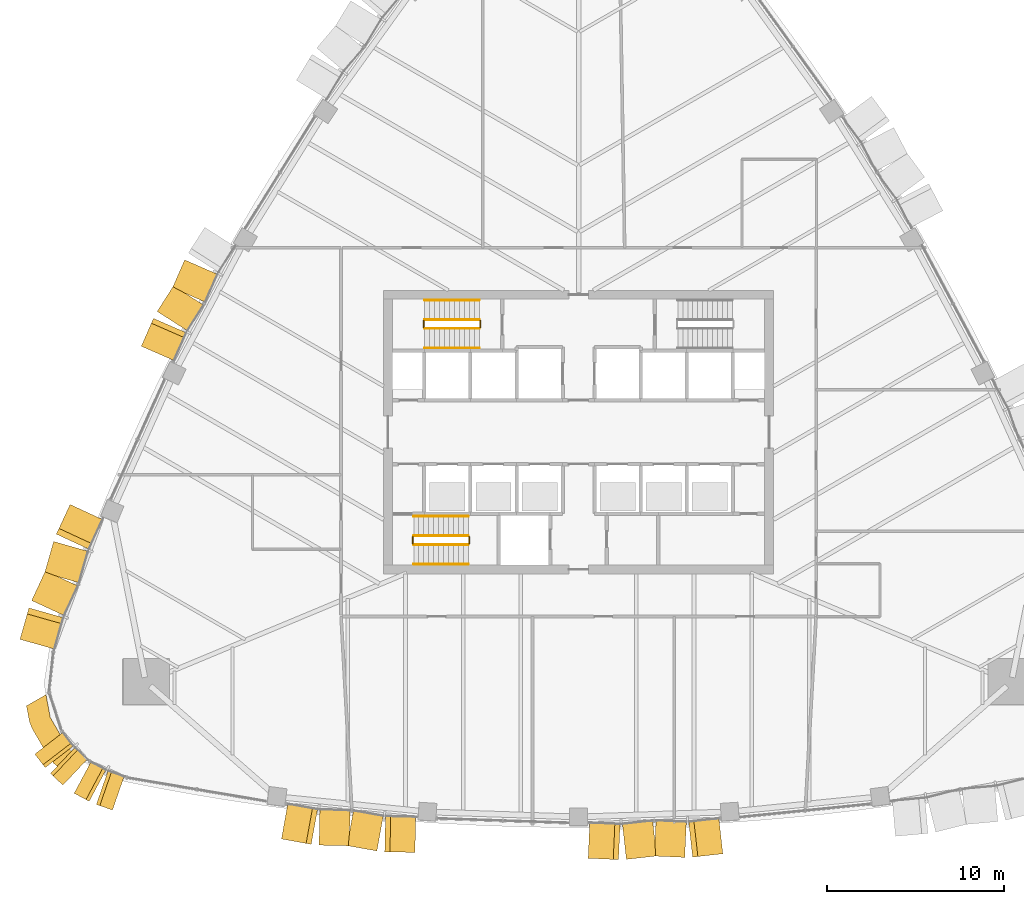
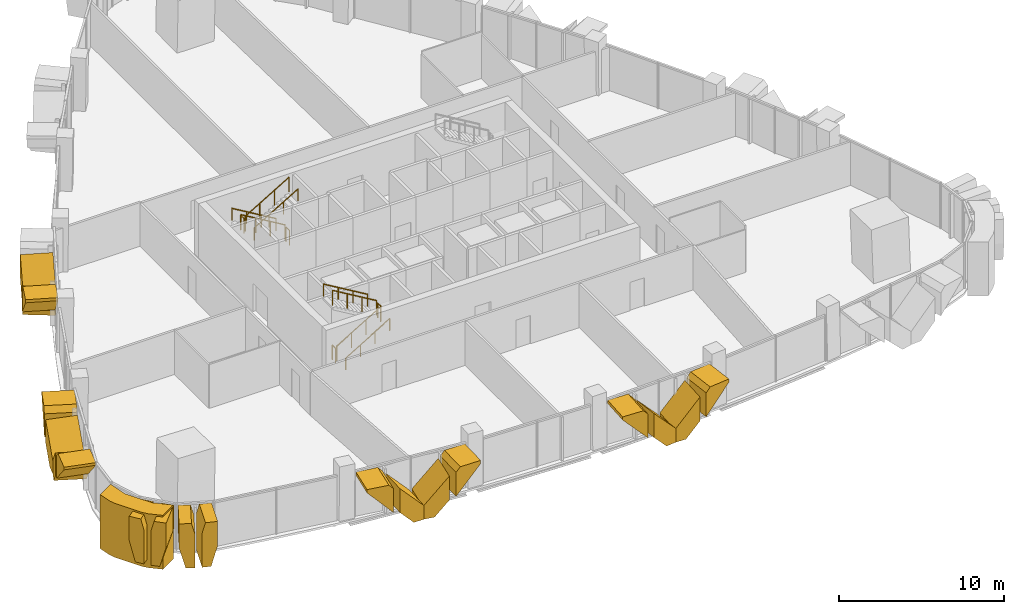
# One storey, part 14 of 17: 20 coverings, 12 railings.
"""IFC4 building model written with IfcOpenShell, lengths in metres."""

import ifcopenshell
import ifcopenshell.guid

model = None  # the IFC model being written
_history = None  # IfcOwnerHistory: only IFC2X3 demands one
_inside = {}  # id of a spatial element -> (the spatial element, [elements in it])
_under = {}  # id of a project, library or spatial element -> (it, [spatial elements below it])
_declared = {}  # id of a project -> (the project, [libraries it declares])
_typed = {}  # id of a type object -> (the type object, [elements of that type])
_made_of = {}  # id of a material, layer set ... -> (it, [elements and type objects made of it])


def new_model(schema):
    """Start an empty IFC model of exactly this schema.

    Asked for "IFC4X3", IfcOpenShell would pick the latest addendum, in which some entities
    have other attributes; the version numbers below select the first issue.
    IFC2X3 requires an IfcOwnerHistory on every rooted entity: one is made here for all.
    """
    global model, _history
    if schema == "IFC4X3":
        model = ifcopenshell.file(schema_version=(4, 3, 0, 0))
    else:
        model = ifcopenshell.file(schema=schema)
    _inside.clear()
    _under.clear()
    _declared.clear()
    _typed.clear()
    _made_of.clear()
    _history = None
    if model.schema == "IFC2X3":
        org = make("IfcOrganization", Name="unknown")
        user = make(
            "IfcPersonAndOrganization",
            ThePerson=make("IfcPerson", FamilyName="unknown"),
            TheOrganization=org,
        )
        app = make(
            "IfcApplication",
            ApplicationDeveloper=org,
            Version="unknown",
            ApplicationFullName="unknown",
            ApplicationIdentifier="unknown",
        )
        _history = make(
            "IfcOwnerHistory",
            OwningUser=user,
            OwningApplication=app,
            ChangeAction="ADDED",
            CreationDate=0,
        )
    return model


def make(cls, **values):
    """One entity of the class cls with the attributes given. An attribute that is None is left unset."""
    return model.create_entity(
        cls, **{name: value for name, value in values.items() if value is not None}
    )


def rooted(cls, **values):
    """An entity with a GlobalId (a new one), such as an element, a storey or a relation."""
    return make(cls, GlobalId=ifcopenshell.guid.new(), OwnerHistory=_history, **values)


def si_unit(unit_type, name, prefix=None):
    """IfcSIUnit, for example si_unit("LENGTHUNIT", "METRE", prefix="MILLI")."""
    return make("IfcSIUnit", UnitType=unit_type, Prefix=prefix, Name=name)


def assignment(units):
    """IfcUnitAssignment: the units of a project."""
    return None if units is None else make("IfcUnitAssignment", Units=units)


def point(xyz):
    """IfcCartesianPoint."""
    return None if xyz is None else make("IfcCartesianPoint", Coordinates=xyz)


def direction(xyz):
    """IfcDirection."""
    return None if xyz is None else make("IfcDirection", DirectionRatios=xyz)


def frame(location, z_axis=None, x_axis=None):
    """IfcAxis2Placement3D, a coordinate frame: its origin and axes. An axis left out is left unset."""
    return make(
        "IfcAxis2Placement3D",
        Location=point(location),
        Axis=direction(z_axis),
        RefDirection=direction(x_axis),
    )


def frame_2d(location, x_axis=None):
    """IfcAxis2Placement2D, a coordinate frame in the plane: its origin and x axis."""
    return make(
        "IfcAxis2Placement2D", Location=point(location), RefDirection=direction(x_axis)
    )


def origin():
    """The frame at (0, 0, 0) with its axes left unset."""
    return frame((0.0, 0.0, 0.0))


def origin_2d():
    """The frame at (0, 0) in the plane with its x axis left unset."""
    return frame_2d((0.0, 0.0))


def place(relative_to, where):
    """IfcLocalPlacement: puts the frame where relative to a parent placement (None: the world)."""
    return make(
        "IfcLocalPlacement", PlacementRelTo=relative_to, RelativePlacement=where
    )


def context(
    kind, dimensions, precision=None, world=None, true_north=None, identifier=None
):
    """IfcGeometricRepresentationContext, for example the 3D "Model" context."""
    return make(
        "IfcGeometricRepresentationContext",
        ContextIdentifier=identifier,
        ContextType=kind,
        CoordinateSpaceDimension=dimensions,
        Precision=precision,
        WorldCoordinateSystem=world,
        TrueNorth=true_north,
    )


def subcontext(parent, identifier, kind, view, scale=None):
    """IfcGeometricRepresentationSubContext, for example "Body" below "Model"."""
    return make(
        "IfcGeometricRepresentationSubContext",
        ContextIdentifier=identifier,
        ContextType=kind,
        ParentContext=parent,
        TargetScale=scale,
        TargetView=view,
    )


def project(units=None, contexts=None):
    """IfcProject with its units and contexts."""
    return rooted(
        "IfcProject",
        Name="project",
        RepresentationContexts=contexts,
        UnitsInContext=assignment(units),
    )


def spatial(cls, under=None, at=None, **own):
    """A site, building, storey or space (cls), placed at a placement, below another one or the project."""
    s = rooted(cls, ObjectPlacement=at, **own)
    if under is not None:
        _under.setdefault(under.id(), (under, []))[1].append(s)
    return s


def polyline(points):
    """IfcPolyline through the points."""
    return make("IfcPolyline", Points=[point(p) for p in points])


def profile(cls, at=None, kind="AREA", **sizes):
    """A parametric profile (cls). Its sizes go by their IFC names, for example OverallWidth=200.0."""
    return make(cls, ProfileType=kind, Position=at, **sizes)


def circle(**sizes):
    """IfcCircleProfileDef."""
    return profile("IfcCircleProfileDef", **sizes)


def outline(outer, holes=None, kind="AREA"):
    """IfcArbitraryClosedProfileDef: a profile drawn as a closed curve; with holes, ...WithVoids."""
    if holes is None:
        return make("IfcArbitraryClosedProfileDef", ProfileType=kind, OuterCurve=outer)
    return make(
        "IfcArbitraryProfileDefWithVoids",
        ProfileType=kind,
        OuterCurve=outer,
        InnerCurves=holes,
    )


def extrude(swept, where, along, depth):
    """IfcExtrudedAreaSolid: the profile swept, set in the frame where, extruded along a direction by depth."""
    return make(
        "IfcExtrudedAreaSolid",
        SweptArea=swept,
        Position=where,
        ExtrudedDirection=direction(along),
        Depth=depth,
    )


def shape(context_of_items, identifier, shape_type, items):
    """IfcShapeRepresentation: the items that make up one representation, for example the "Body"."""
    return make(
        "IfcShapeRepresentation",
        ContextOfItems=context_of_items,
        RepresentationIdentifier=identifier,
        RepresentationType=shape_type,
        Items=items,
    )


def material(Name=None, Category=None):
    """IfcMaterial."""
    return make("IfcMaterial", Name=Name, Category=Category)


def layer(
    of_material, thickness, ventilated=None, Name=None, Category=None, Priority=None
):
    """IfcMaterialLayer: one layer of a wall or slab, of a material (None: an air gap)."""
    return make(
        "IfcMaterialLayer",
        Material=of_material,
        LayerThickness=thickness,
        IsVentilated=ventilated,
        Name=Name,
        Category=Category,
        Priority=Priority,
    )


def layer_set(layers, Name=None):
    """IfcMaterialLayerSet."""
    return make("IfcMaterialLayerSet", MaterialLayers=layers, LayerSetName=Name)


def made_of(thing, what):
    """Note that an element or type object is made of a material, layer set ...; save() writes the relation."""
    if what is not None:
        _made_of.setdefault(what.id(), (what, []))[1].append(thing)
    return thing


def type_object(cls, material=None, **own):
    """A type object (cls), such as IfcWallType, which elements share."""
    return made_of(rooted(cls, **own), material)


def element(
    cls,
    number,
    at=None,
    inside=None,
    cuts=None,
    type_object=None,
    material=None,
    context=None,
    identifier="Body",
    shape_type=None,
    held_by="IfcProductDefinitionShape",
    body=None,
    shapes=None,
    **own,
):
    """One element of the class cls, such as IfcWall. Its Tag is "e" and its number.

    at: its placement. inside: the storey or other place that contains it. cuts: it is an
    opening in that element (IfcRelVoidsElement). A single representation is given by context,
    identifier, shape_type and body (its items); several are given by shapes. held_by: the class
    of the entity that holds the representations. save() writes the other relations.
    """
    e = rooted(cls, Tag="e%d" % number, ObjectPlacement=at, **own)
    if body is not None:
        shapes = [shape(context, identifier, shape_type, body)]
    if shapes is not None:
        e.Representation = make(held_by, Representations=shapes)
    if inside is not None:
        _inside.setdefault(inside.id(), (inside, []))[1].append(e)
    if cuts is not None:
        rooted(
            "IfcRelVoidsElement", RelatingBuildingElement=cuts, RelatedOpeningElement=e
        )
    if type_object is not None:
        _typed.setdefault(type_object.id(), (type_object, []))[1].append(e)
    return made_of(e, material)


def aggregate(whole, parts):
    """IfcRelAggregates: a whole, such as a stair, and the parts it consists of."""
    return rooted("IfcRelAggregates", RelatingObject=whole, RelatedObjects=parts)


def save(model, path):
    """Write the relations noted so far, then the file.

    IfcRelAggregates (storeys below a building ...), IfcRelContainedInSpatialStructure (elements
    in a storey), IfcRelDefinesByType, IfcRelAssociatesMaterial and IfcRelDeclares: one each for
    every whole, place, type object, material and project.
    """
    for whole, parts in _under.values():
        aggregate(whole, parts)
    for where, things in _inside.values():
        rooted(
            "IfcRelContainedInSpatialStructure",
            RelatedElements=things,
            RelatingStructure=where,
        )
    for kind, things in _typed.values():
        rooted("IfcRelDefinesByType", RelatedObjects=things, RelatingType=kind)
    for what, things in _made_of.values():
        rooted("IfcRelAssociatesMaterial", RelatedObjects=things, RelatingMaterial=what)
    for by, libraries in _declared.values():
        rooted("IfcRelDeclares", RelatingContext=by, RelatedDefinitions=libraries)
    model.write(path)


model = new_model("IFC4")

# Units and contexts
model_context = context("Model", 3, precision=1e-05, world=origin(), true_north=direction((0.0, 1.0)))
body_context = subcontext(model_context, "Body", "Model", "MODEL_VIEW")
ifc_project = project(units=[si_unit("LENGTHUNIT", "METRE"), si_unit("AREAUNIT", "SQUARE_METRE"), si_unit("VOLUMEUNIT", "CUBIC_METRE"), si_unit("PLANEANGLEUNIT", "RADIAN"), si_unit("MASSUNIT", "GRAM", prefix="KILO")], contexts=[model_context])

# Site, building, storey
site_placement = place(None, origin())
site = spatial("IfcSite", under=ifc_project, at=site_placement, CompositionType="ELEMENT")
building_placement = place(site_placement, origin())
building = spatial("IfcBuilding", under=site, at=building_placement, Name="Sierra Prisma Convention Tower", CompositionType="ELEMENT")
storey_placement = place(building_placement, frame((0.0, 0.0, 149.800048828125)))
storey = spatial("IfcBuildingStorey", under=building, at=storey_placement, Name="L32", CompositionType="ELEMENT", Elevation=149.800048828125)

# Coverings
ifc_material_1 = material(Name="Aluminium composite bronze anodised", Category="aluminium")
ifc_layer_1 = layer(ifc_material_1, 1.199951171875)
ifc_layer_set_1 = layer_set([ifc_layer_1], Name="Bronze corner pier")
covering_type_1 = type_object("IfcCoveringType", Name="Bronze corner pier", PredefinedType="CLADDING", material=ifc_layer_set_1)
covering_1_placement = place(storey_placement, frame((0.0, 0.0, -0.60009765625)))
element("IfcCovering", 1, at=covering_1_placement, inside=storey, type_object=covering_type_1, Name="Corner pier SW L32.1", PredefinedType="CLADDING", context=body_context, shape_type="SweptSolid", body=[
    extrude(outline(polyline([(-29.62109375, -18.677978515625), (-29.879150390625, -18.366943359375), (-30.845947265625, -16.692626953125), (-30.986083984375, -16.313720703125), (-31.149169921875, -15.443603515625), (-30.047607421875, -14.8076171875), (-29.806640625, -16.0927734375), (-28.840087890625, -17.76708984375), (-27.84765625, -18.6181640625), (-28.94921875, -19.254150390625), (-29.62109375, -18.677978515625)])), origin(), (0.0, 0.0, 1.0), 4.0),
])
ifc_material_2 = material(Name="Aluminium 6063-T6 bronze anodised", Category="aluminium")
ifc_layer_2 = layer(ifc_material_2, 2.0)
ifc_layer_set_2 = layer_set([ifc_layer_2], Name="Bronze crystal chevron frame")
covering_type_2 = type_object("IfcCoveringType", Name="Bronze crystal chevron frame", PredefinedType="CLADDING", material=ifc_layer_set_2)
covering_2_placement = place(storey_placement, frame((-16.763916015625, -22.952880859375, 3.280029296875), z_axis=(-0.178404639112, -0.983957206653, 1.4800679e-05), x_axis=(-2.64051e-06, -1.4563235e-05, -0.99999999989)))
element("IfcCovering", 2, at=covering_2_placement, inside=storey, type_object=covering_type_2, Name="CW-2 chevron frame S2.1.1", PredefinedType="CLADDING", context=body_context, shape_type="SweptSolid", body=[
    extrude(outline(polyline([(0.0, 0.0), (0.2336425780994091, 9.895148077665594e-23), (2.0971679685906253, 1.707818955998572), (0.32104492191016404, 1.707818955998572), (-4.402594558439716e-10, 1.4137891006702699), (0.0, 0.0)])), origin(), (0.0, 0.0, -1.0), 2.0),
])
covering_3_placement = place(storey_placement, frame((-14.642333984375, -23.302001953125, 2.817138671875), z_axis=(-0.022308776569, -0.999751128222, -1.034206e-05), x_axis=(2.30719e-07, 1.0339487e-05, -0.999999999947)))
element("IfcCovering", 3, at=covering_3_placement, inside=storey, type_object=covering_type_2, Name="CW-2 chevron frame S2.1.2", PredefinedType="CLADDING", context=body_context, shape_type="SweptSolid", body=[
    extrude(outline(polyline([(0.0, 0.0), (1.7761230467800144, 0.0), (2.817138672127655, 0.953849797511067), (2.817138671835687, 1.7077001487243268), (1.8635253906366855, 1.7077001487243268), (0.0, 0.0)])), origin(), (0.0, 0.0, -1.0), 2.0),
])
covering_4_placement = place(storey_placement, frame((-12.31689453125, -23.4619140625, 0.0), z_axis=(-0.178251007316, -0.983985049426, -2.9942138e-05), x_axis=(0.664806247486, -0.12045351493, 0.737240533371)))
element("IfcCovering", 4, at=covering_4_placement, inside=storey, type_object=covering_type_2, Name="CW-2 chevron frame S2.2.1", PredefinedType="CLADDING", context=body_context, shape_type="SweptSolid", body=[
    extrude(outline(polyline([(0.0, 0.0), (1.4120433974077613, -1.1102230246251565e-16), (2.7214732998176547, 1.2000026689500065), (0.19378191168734082, 1.1999895808672243), (-0.5092604524106721, 0.5556994880948908), (0.0, 0.0)])), origin(), (0.0, 0.0, -1.0), 2.0),
])
covering_5_placement = place(storey_placement, frame((-9.229736328125, -23.714599609375, 3.280029296875), z_axis=(-0.022153262935, -0.999754585792, -3.3606918e-05), x_axis=(-0.999754586356, 0.022153262947, 1.606e-09)))
element("IfcCovering", 5, at=covering_5_placement, inside=storey, type_object=covering_type_2, Name="CW-2 chevron frame S2.2.2", PredefinedType="CLADDING", context=body_context, shape_type="SweptSolid", body=[
    extrude(outline(polyline([(0.0, 0.0), (1.413675517108114, 2.117582368135751e-22), (1.7076947207119522, 0.32104492479827174), (1.707694717860106, 2.0971679706702733), (-3.7515006987492796e-10, 0.23364257799305915), (0.0, 0.0)])), origin(), (0.0, 0.0, -1.0), 2.0),
])
covering_6_placement = place(storey_placement, frame((0.539794921875, -24.04296875, 3.280029296875), z_axis=(-0.044958665686, -0.998988847788, 1.9384242e-05), x_axis=(-8.7149e-07, -1.9364641e-05, -0.999999999812)))
element("IfcCovering", 6, at=covering_6_placement, inside=storey, type_object=covering_type_2, Name="CW-2 chevron frame S4.1.1", PredefinedType="CLADDING", context=body_context, shape_type="SweptSolid", body=[
    extrude(outline(polyline([(0.0, 0.0), (0.23120117183156322, 2.4479376252741163e-23), (2.0954589841028666, 1.7158465917953805), (0.32348632818577483, 1.7158465917953805), (-7.526902107589172e-10, 1.4181802970084945), (0.0, 0.0)])), origin(), (0.0, 0.0, -1.0), 2.0),
])
covering_7_placement = place(storey_placement, frame((2.697021484375, -24.105224609375, 2.8154296875), z_axis=(0.11200000578, -0.993708205315, 3.7361437e-05), x_axis=(4.184481e-06, -3.7126367e-05, -0.999999999302)))
element("IfcCovering", 7, at=covering_7_placement, inside=storey, type_object=covering_type_2, Name="CW-2 chevron frame S4.1.2", PredefinedType="CLADDING", context=body_context, shape_type="SweptSolid", body=[
    extrude(outline(polyline([(0.0, 0.0), (1.7719726550132722, -1.5009192214774687e-21), (2.815429690792716, 0.9603724071931462), (2.815429686991541, 1.7158696570729286), (1.8642578126554004, 1.7158696570729286), (0.0, 0.0)])), origin(), (0.0, 0.0, -1.0), 2.0),
])
covering_8_placement = place(storey_placement, frame((4.27783203125, -23.917236328125, 0.0), z_axis=(-0.04500332305, -0.998986834927, 6.7499134e-05), x_axis=(0.998986837203, -0.045003323154, -1.6424e-08)))
element("IfcCovering", 8, at=covering_8_placement, inside=storey, type_object=covering_type_2, Name="CW-2 chevron frame S4.2.1", PredefinedType="CLADDING", context=body_context, shape_type="SweptSolid", body=[
    extrude(outline(polyline([(0.0, 0.0), (0.7554122995694359, 0.0), (1.7158465732233743, 1.0434570618083956), (1.7158465441202202, 2.815429714021724), (-1.562219460607917e-08, 0.9511718728331672), (0.0, 0.0)])), origin(), (0.0, 0.0, -1.0), 2.0),
])
covering_9_placement = place(storey_placement, frame((8.14013671875, -23.78759765625, 3.280029296875), z_axis=(0.111844973796, -0.993725666364, -4.2960925e-05), x_axis=(-0.993725667281, -0.111844973899, 2.607e-09)))
element("IfcCovering", 9, at=covering_9_placement, inside=storey, type_object=covering_type_2, Name="CW-2 chevron frame S4.2.2", PredefinedType="CLADDING", context=body_context, shape_type="SweptSolid", body=[
    extrude(outline(polyline([(0.0, 0.0), (1.418086861470124, 0.0), (1.7158423355279044, 0.3234863328969476), (1.7158423309081374, 2.0954589875117353), (-6.027720151361181e-10, 0.23120117166164283), (0.0, 0.0)])), origin(), (0.0, 0.0, -1.0), 2.0),
])
covering_10_placement = place(storey_placement, frame((-22.22412109375, 9.717041015625, 2.8154296875), z_axis=(-0.916550827823, 0.399918215094, 3.5384973e-05), x_axis=(-3.2432126e-05, 1.4151095e-05, -0.999999999374)))
element("IfcCovering", 10, at=covering_10_placement, inside=storey, type_object=covering_type_2, Name="CW-2 chevron frame NW4.1.2", PredefinedType="CLADDING", context=body_context, shape_type="SweptSolid", body=[
    extrude(outline(polyline([(0.0, 0.0), (1.7719726551406598, -3.0018384429549374e-21), (2.8154296904535534, 0.9605843647833733), (2.815429687043914, 1.715964487272564), (1.8642578126393936, 1.715964487272564), (0.0, 0.0)])), origin(), (0.0, 0.0, -1.0), 2.0),
])
covering_11_placement = place(storey_placement, frame((-22.85205078125, 8.25390625, 0.0), z_axis=(-0.842659818249, 0.538446311666, 1.2705997e-05), x_axis=(-0.538446311709, -0.842659818317, -5.82e-10)))
element("IfcCovering", 11, at=covering_11_placement, inside=storey, type_object=covering_type_2, Name="CW-2 chevron frame NW4.2.1", PredefinedType="CLADDING", context=body_context, shape_type="SweptSolid", body=[
    extrude(outline(polyline([(0.0, 0.0), (0.7553383060695945, 8.470329472543003e-22), (1.7157500696034695, 1.04345703233285), (1.7157500685721252, 2.8154296884398144), (-5.536122301887352e-10, 0.9511718749232203), (0.0, 0.0)])), origin(), (0.0, 0.0, -1.0), 2.0),
])
covering_12_placement = place(storey_placement, frame((-24.670654296875, 4.84423828125, 3.280029296875), z_axis=(-0.916523292244, 0.399981314804, -5.081196e-05), x_axis=(0.39998131532, 0.916523293427, 3.647e-09)))
element("IfcCovering", 12, at=covering_12_placement, inside=storey, type_object=covering_type_2, Name="CW-2 chevron frame NW4.2.2", PredefinedType="CLADDING", context=body_context, shape_type="SweptSolid", body=[
    extrude(outline(polyline([(0.0, 0.0), (1.418146144945184, 3.3881317890172014e-21), (1.715740723998476, 0.32348633479981426), (1.7157407175361843, 2.0954589887623256), (-8.431786003080199e-10, 0.231201171576536), (0.0, 0.0)])), origin(), (0.0, 0.0, -1.0), 2.0),
])
covering_13_placement = place(storey_placement, frame((-28.687744140625, -4.0810546875, 3.280029296875), z_axis=(-0.907199404753, 0.42070089124, 1.1224924e-05), x_axis=(-1.0183245e-05, 4.722336e-06, -0.999999999937)))
element("IfcCovering", 13, at=covering_13_placement, inside=storey, type_object=covering_type_2, Name="CW-2 chevron frame NW6.1.1", PredefinedType="CLADDING", context=body_context, shape_type="SweptSolid", body=[
    extrude(outline(polyline([(0.0, 0.0), (0.19628906248763392, 0.0), (2.0693359374148526, 1.8442443734393787), (0.3588867187726097, 1.8442443734393787), (-2.4024697104121754e-10, 1.4908850811305907), (0.0, 0.0)])), origin(), (0.0, 0.0, -1.0), 2.0),
])
covering_14_placement = place(storey_placement, frame((-29.617919921875, -6.169921875, 2.7890625), z_axis=(-0.961843741049, 0.273599372307, 3.5748714e-05), x_axis=(-3.4384677e-05, 9.780826e-06, -0.999999999361)))
element("IfcCovering", 14, at=covering_14_placement, inside=storey, type_object=covering_type_2, Name="CW-2 chevron frame NW6.1.2", PredefinedType="CLADDING", context=body_context, shape_type="SweptSolid", body=[
    extrude(outline(polyline([(0.0, 0.0), (1.7102050770322044, 0.0), (2.7890625029528113, 1.0622980740938173), (2.7890624995965787, 1.8443082348261948), (1.8730468751818987, 1.8443082348261948), (0.0, 0.0)])), origin(), (0.0, 0.0, -1.0), 2.0),
])
covering_15_placement = place(storey_placement, frame((-30.079345703125, -7.827392578125, 0.0), z_axis=(-0.90720951662, 0.420679083085, -4.4826304e-05), x_axis=(-0.420679083507, -0.907209517531, -6.748e-09)))
element("IfcCovering", 15, at=covering_15_placement, inside=storey, type_object=covering_type_2, Name="CW-2 chevron frame NW6.2.1", PredefinedType="CLADDING", context=body_context, shape_type="SweptSolid", body=[
    extrude(outline(polyline([(0.0, 0.0), (0.7819837850171938, 0.0), (1.8442443655291594, 1.078857435404583), (1.8442443539880506, 2.789062511811342), (-6.1816189026233194e-09, 0.9160156240796802), (0.0, 0.0)])), origin(), (0.0, 0.0, -1.0), 2.0),
])
covering_16_placement = place(storey_placement, frame((-31.51416015625, -11.690185546875, 3.280029296875), z_axis=(-0.961838076399, 0.273619288041, -1.059192e-06), x_axis=(0.273619288041, 0.9618380764, 1e-12)))
element("IfcCovering", 16, at=covering_16_placement, inside=storey, type_object=covering_type_2, Name="CW-2 chevron frame NW6.2.2", PredefinedType="CLADDING", context=body_context, shape_type="SweptSolid", body=[
    extrude(outline(polyline([(0.0, 0.0), (1.490980149191239, 5.293955920339377e-23), (1.8443082352289009, 0.35888671875284744), (1.8443082352264468, 2.069335937501888), (-2.8162075497239935e-13, 0.1962890624998899), (0.0, 0.0)])), origin(), (0.0, 0.0, -1.0), 2.0),
])
covering_17_placement = place(storey_placement, frame((-30.678466796875, -18.166015625, 3.280029296875), z_axis=(-0.792175241891, -0.610293687631, 3.1193237e-05), x_axis=(-2.471051e-05, -1.9037035e-05, -0.999999999513)))
element("IfcCovering", 17, at=covering_17_placement, inside=storey, type_object=covering_type_2, Name="CW-2 chevron frame SW3.1.1", PredefinedType="CLADDING", context=body_context, shape_type="SweptSolid", body=[
    extrude(outline(polyline([(0.0, 0.0), (1.7910156241286548, 3.0340984868445055e-21), (3.280029295264235, 0.4040376873611531), (3.2800292959706283, 0.9609198837451223), (0.7507324222011538, 0.9609198837451223), (-5.379889579428326e-09, 0.7570479361029963), (0.0, 0.0)])), origin(), (0.0, 0.0, -1.0), 2.0),
])
covering_18_placement = place(storey_placement, frame((-29.794677734375, -19.256103515625, 0.0), z_axis=(-0.686894157958, -0.726757466698, 1.9042848e-05), x_axis=(0.72675746683, -0.686894158082, 6.8e-10)))
element("IfcCovering", 18, at=covering_18_placement, inside=storey, type_object=covering_type_2, Name="CW-2 chevron frame SW3.1.2", PredefinedType="CLADDING", context=body_context, shape_type="SweptSolid", body=[
    extrude(outline(polyline([(0.0, 0.0), (0.556619476097006, 0.0), (0.9610876270023693, 1.4890136711931068), (0.9610876282204632, 3.2800292958683683), (0.20379202736425284, 3.2800292985254083), (1.7202089610855886e-09, 2.5292968745414), (0.0, 0.0)])), origin(), (0.0, 0.0, -1.0), 2.0),
])
covering_19_placement = place(storey_placement, frame((-28.458740234375, -20.37548828125, 3.280029296875), z_axis=(-0.472027758069, -0.881583686088, 5.929418e-06), x_axis=(-2.79885e-06, -5.227278e-06, -0.999999999982)))
element("IfcCovering", 19, at=covering_19_placement, inside=storey, type_object=covering_type_2, Name="CW-2 chevron frame SW4.1.1", PredefinedType="CLADDING", context=body_context, shape_type="SweptSolid", body=[
    extrude(outline(polyline([(0.0, 0.0), (1.7910156249685159, -7.585246217111264e-22), (3.2800292971617506, 0.4043549532539368), (3.2800292968841744, 0.9609675208222936), (0.7507324219286365, 0.9609675208222936), (1.6593375989273687e-10, 0.7571529383870109), (0.0, 0.0)])), origin(), (0.0, 0.0, -1.0), 2.0),
])
covering_20_placement = place(storey_placement, frame((-27.205322265625, -21.007080078125, 0.0), z_axis=(-0.328209725898, -0.944604877756, -2.7283109e-05), x_axis=(0.944604878108, -0.32820972602, -4.778e-09)))
element("IfcCovering", 20, at=covering_20_placement, inside=storey, type_object=covering_type_2, Name="CW-2 chevron frame SW4.1.2", PredefinedType="CLADDING", context=body_context, shape_type="SweptSolid", body=[
    extrude(outline(polyline([(0.0, 0.0), (0.5566845172138919, -8.470329472543003e-22), (0.9609589535362909, 1.4890136768828228), (0.9609589449792311, 3.2800293012162354), (0.20368116325425709, 3.2800292979094103), (-1.2084397533454437e-08, 2.529296874058636), (0.0, 0.0)])), origin(), (0.0, 0.0, -1.0), 2.0),
])

# Railings
ifc_material_3 = material(Name="Stainless steel", Category="steel")
railing_type_1 = type_object("IfcRailingType", Name="Exit stair handrail", PredefinedType="HANDRAIL", material=ifc_material_3)
railing_1_placement = place(storey_placement, frame((-9.300048828125, -7.449951171875, 0.16650390625)))
element("IfcRailing", 21, at=railing_1_placement, inside=storey, type_object=railing_type_1, Name="L32 S1 stair handrail 1", PredefinedType="HANDRAIL", context=body_context, shape_type="SweptSolid", body=[
    extrude(circle(Radius=0.02392578125, at=origin_2d()), frame((0.0, 0.0, 0.8759765625), z_axis=(0.85927862911, 0.0, 0.511507807912), x_axis=(0.0, 1.0, 0.0)), (0.0, 0.0, 1.0), 3.58447265625),
    extrude(circle(Radius=0.02099609375, at=origin_2d()), origin(), (0.0, 0.0, 1.0), 0.851806640625),
    extrude(circle(Radius=0.02099609375, at=origin_2d()), frame((1.026611328125, 0.0, 0.611083984375)), (0.0, 0.0, 1.0), 0.851806640625),
    extrude(circle(Radius=0.02099609375, at=origin_2d()), frame((2.053466796875, 0.0, 1.222412109375)), (0.0, 0.0, 1.0), 0.851806640625),
    extrude(circle(Radius=0.02099609375, at=origin_2d()), frame((3.080078125, 0.0, 1.83349609375)), (0.0, 0.0, 1.0), 0.851806640625),
])
railing_2_placement = place(storey_placement, frame((-6.219970703125, -4.75, 2.16650390625)))
element("IfcRailing", 22, at=railing_2_placement, inside=storey, type_object=railing_type_1, Name="L32 S1 stair handrail 2", PredefinedType="HANDRAIL", context=body_context, shape_type="SweptSolid", body=[
    extrude(circle(Radius=0.02392578125, at=origin_2d()), frame((0.0, 0.0, 0.8759765625), z_axis=(-0.85927862911, 0.0, 0.511507807912), x_axis=(0.0, -1.0, 0.0)), (0.0, 0.0, 1.0), 3.58447265625),
    extrude(circle(Radius=0.02099609375, at=origin_2d()), origin(), (0.0, 0.0, 1.0), 0.851806640625),
    extrude(circle(Radius=0.02099609375, at=origin_2d()), frame((-1.026611328125, 0.0, 0.611083984375)), (0.0, 0.0, 1.0), 0.851806640625),
    extrude(circle(Radius=0.02099609375, at=origin_2d()), frame((-2.053466796875, 0.0, 1.222412109375)), (0.0, 0.0, 1.0), 0.851806640625),
    extrude(circle(Radius=0.02099609375, at=origin_2d()), frame((-3.080078125, 0.0, 1.83349609375)), (0.0, 0.0, 1.0), 0.851806640625),
])
railing_3_placement = place(storey_placement, frame((-5.60009765625, 7.449951171875, 0.16650390625)))
element("IfcRailing", 23, at=railing_3_placement, inside=storey, type_object=railing_type_1, Name="L32 S3 stair handrail 1", PredefinedType="HANDRAIL", context=body_context, shape_type="SweptSolid", body=[
    extrude(circle(Radius=0.02392578125, at=origin_2d()), frame((0.0, 0.0, 0.8759765625), z_axis=(-0.859260807169, 0.0, 0.511537745687), x_axis=(0.0, -1.0, 0.0)), (0.0, 0.0, 1.0), 3.584228515625),
    extrude(circle(Radius=0.02099609375, at=origin_2d()), origin(), (0.0, 0.0, 1.0), 0.851806640625),
    extrude(circle(Radius=0.02099609375, at=origin_2d()), frame((-1.026611328125, 0.0, 0.611083984375)), (0.0, 0.0, 1.0), 0.851806640625),
    extrude(circle(Radius=0.02099609375, at=origin_2d()), frame((-2.05322265625, 0.0, 1.222412109375)), (0.0, 0.0, 1.0), 0.851806640625),
    extrude(circle(Radius=0.02099609375, at=origin_2d()), frame((-3.079833984375, 0.0, 1.83349609375)), (0.0, 0.0, 1.0), 0.851806640625),
])
railing_4_placement = place(storey_placement, frame((-8.679931640625, 4.75, 2.16650390625)))
element("IfcRailing", 24, at=railing_4_placement, inside=storey, type_object=railing_type_1, Name="L32 S3 stair handrail 2", PredefinedType="HANDRAIL", context=body_context, shape_type="SweptSolid", body=[
    extrude(circle(Radius=0.02392578125, at=origin_2d()), frame((0.0, 0.0, 0.8759765625), z_axis=(0.859260807169, 0.0, 0.511537745687), x_axis=(0.0, 1.0, 0.0)), (0.0, 0.0, 1.0), 3.584228515625),
    extrude(circle(Radius=0.02099609375, at=origin_2d()), origin(), (0.0, 0.0, 1.0), 0.851806640625),
    extrude(circle(Radius=0.02099609375, at=origin_2d()), frame((1.026611328125, 0.0, 0.611083984375)), (0.0, 0.0, 1.0), 0.851806640625),
    extrude(circle(Radius=0.02099609375, at=origin_2d()), frame((2.05322265625, 0.0, 1.222412109375)), (0.0, 0.0, 1.0), 0.851806640625),
    extrude(circle(Radius=0.02099609375, at=origin_2d()), frame((3.079833984375, 0.0, 1.83349609375)), (0.0, 0.0, 1.0), 0.851806640625),
])
ifc_material_4 = material(Name="Stainless steel", Category="steel")
railing_type_2 = type_object("IfcRailingType", Name="Stair guard 1100", PredefinedType="GUARDRAIL", material=ifc_material_4)
railing_5_placement = place(storey_placement, frame((-9.300048828125, -6.35009765625, 0.16650390625)))
element("IfcRailing", 25, at=railing_5_placement, inside=storey, type_object=railing_type_2, Name="L32 S1 stair guard 1", PredefinedType="GUARDRAIL", context=body_context, shape_type="SweptSolid", body=[
    extrude(circle(Radius=0.02392578125, at=origin_2d()), frame((0.0, 0.0, 1.076171875), z_axis=(0.85927862911, 0.0, 0.511507807912), x_axis=(0.0, 1.0, 0.0)), (0.0, 0.0, 1.0), 3.58447265625),
    extrude(circle(Radius=0.02099609375, at=origin_2d()), origin(), (0.0, 0.0, 1.0), 1.052001953125),
    extrude(circle(Radius=0.02099609375, at=origin_2d()), frame((1.026611328125, 0.0, 0.611083984375)), (0.0, 0.0, 1.0), 1.052001953125),
    extrude(circle(Radius=0.02099609375, at=origin_2d()), frame((2.053466796875, 0.0, 1.222412109375)), (0.0, 0.0, 1.0), 1.052001953125),
    extrude(circle(Radius=0.02099609375, at=origin_2d()), frame((3.080078125, 0.0, 1.83349609375)), (0.0, 0.0, 1.0), 1.052001953125),
])
railing_6_placement = place(storey_placement, frame((-6.169921875, -6.300048828125, 2.0)))
element("IfcRailing", 26, at=railing_6_placement, inside=storey, type_object=railing_type_2, Name="L32 S1 stair guard 2", PredefinedType="GUARDRAIL", context=body_context, shape_type="SweptSolid", body=[
    extrude(circle(Radius=0.02392578125, at=origin_2d()), frame((0.0, 0.0, 1.076171875), z_axis=(0.0, 1.0, 0.0), x_axis=(-1.0, 0.0, 0.0)), (0.0, 0.0, 1.0), 0.400146484375),
    extrude(circle(Radius=0.02099609375, at=origin_2d()), origin(), (0.0, 0.0, 1.0), 1.052001953125),
    extrude(circle(Radius=0.02099609375, at=origin_2d()), frame((0.0, 0.400146484375, 0.0)), (0.0, 0.0, 1.0), 1.052001953125),
])
railing_7_placement = place(storey_placement, frame((-6.219970703125, -5.85009765625, 2.16650390625)))
element("IfcRailing", 27, at=railing_7_placement, inside=storey, type_object=railing_type_2, Name="L32 S1 stair guard 3", PredefinedType="GUARDRAIL", context=body_context, shape_type="SweptSolid", body=[
    extrude(circle(Radius=0.02392578125, at=origin_2d()), frame((0.0, 0.0, 1.076171875), z_axis=(-0.85927862911, 0.0, 0.511507807912), x_axis=(0.0, -1.0, 0.0)), (0.0, 0.0, 1.0), 3.58447265625),
    extrude(circle(Radius=0.02099609375, at=origin_2d()), origin(), (0.0, 0.0, 1.0), 1.052001953125),
    extrude(circle(Radius=0.02099609375, at=origin_2d()), frame((-1.026611328125, 0.0, 0.611083984375)), (0.0, 0.0, 1.0), 1.052001953125),
    extrude(circle(Radius=0.02099609375, at=origin_2d()), frame((-2.053466796875, 0.0, 1.222412109375)), (0.0, 0.0, 1.0), 1.052001953125),
    extrude(circle(Radius=0.02099609375, at=origin_2d()), frame((-3.080078125, 0.0, 1.83349609375)), (0.0, 0.0, 1.0), 1.052001953125),
])
railing_8_placement = place(storey_placement, frame((-9.35009765625, -6.300048828125, 0.0)))
element("IfcRailing", 28, at=railing_8_placement, inside=storey, type_object=railing_type_2, Name="L32 S1 stair guard 4", PredefinedType="GUARDRAIL", context=body_context, shape_type="SweptSolid", body=[
    extrude(circle(Radius=0.02392578125, at=origin_2d()), frame((0.0, 0.0, 1.076171875), z_axis=(0.0, 1.0, 0.0), x_axis=(-1.0, 0.0, 0.0)), (0.0, 0.0, 1.0), 0.400146484375),
    extrude(circle(Radius=0.02099609375, at=origin_2d()), origin(), (0.0, 0.0, 1.0), 1.052001953125),
    extrude(circle(Radius=0.02099609375, at=origin_2d()), frame((0.0, 0.400146484375, 0.0)), (0.0, 0.0, 1.0), 1.052001953125),
])
railing_9_placement = place(storey_placement, frame((-5.60009765625, 6.35009765625, 0.16650390625)))
element("IfcRailing", 29, at=railing_9_placement, inside=storey, type_object=railing_type_2, Name="L32 S3 stair guard 1", PredefinedType="GUARDRAIL", context=body_context, shape_type="SweptSolid", body=[
    extrude(circle(Radius=0.02392578125, at=origin_2d()), frame((0.0, 0.0, 1.076171875), z_axis=(-0.859260807169, 0.0, 0.511537745687), x_axis=(0.0, -1.0, 0.0)), (0.0, 0.0, 1.0), 3.584228515625),
    extrude(circle(Radius=0.02099609375, at=origin_2d()), origin(), (0.0, 0.0, 1.0), 1.052001953125),
    extrude(circle(Radius=0.02099609375, at=origin_2d()), frame((-1.026611328125, 0.0, 0.611083984375)), (0.0, 0.0, 1.0), 1.052001953125),
    extrude(circle(Radius=0.02099609375, at=origin_2d()), frame((-2.05322265625, 0.0, 1.222412109375)), (0.0, 0.0, 1.0), 1.052001953125),
    extrude(circle(Radius=0.02099609375, at=origin_2d()), frame((-3.079833984375, 0.0, 1.83349609375)), (0.0, 0.0, 1.0), 1.052001953125),
])
railing_10_placement = place(storey_placement, frame((-8.72998046875, 6.300048828125, 2.0)))
element("IfcRailing", 30, at=railing_10_placement, inside=storey, type_object=railing_type_2, Name="L32 S3 stair guard 2", PredefinedType="GUARDRAIL", context=body_context, shape_type="SweptSolid", body=[
    extrude(circle(Radius=0.02392578125, at=origin_2d()), frame((0.0, 0.0, 1.076171875), z_axis=(0.0, -1.0, 0.0), x_axis=(1.0, 0.0, 0.0)), (0.0, 0.0, 1.0), 0.400146484375),
    extrude(circle(Radius=0.02099609375, at=origin_2d()), origin(), (0.0, 0.0, 1.0), 1.052001953125),
    extrude(circle(Radius=0.02099609375, at=origin_2d()), frame((0.0, -0.400146484375, 0.0)), (0.0, 0.0, 1.0), 1.052001953125),
])
railing_11_placement = place(storey_placement, frame((-8.679931640625, 5.85009765625, 2.16650390625)))
element("IfcRailing", 31, at=railing_11_placement, inside=storey, type_object=railing_type_2, Name="L32 S3 stair guard 3", PredefinedType="GUARDRAIL", context=body_context, shape_type="SweptSolid", body=[
    extrude(circle(Radius=0.02392578125, at=origin_2d()), frame((0.0, 0.0, 1.076171875), z_axis=(0.859260807169, 0.0, 0.511537745687), x_axis=(0.0, 1.0, 0.0)), (0.0, 0.0, 1.0), 3.584228515625),
    extrude(circle(Radius=0.02099609375, at=origin_2d()), origin(), (0.0, 0.0, 1.0), 1.052001953125),
    extrude(circle(Radius=0.02099609375, at=origin_2d()), frame((1.026611328125, 0.0, 0.611083984375)), (0.0, 0.0, 1.0), 1.052001953125),
    extrude(circle(Radius=0.02099609375, at=origin_2d()), frame((2.05322265625, 0.0, 1.222412109375)), (0.0, 0.0, 1.0), 1.052001953125),
    extrude(circle(Radius=0.02099609375, at=origin_2d()), frame((3.079833984375, 0.0, 1.83349609375)), (0.0, 0.0, 1.0), 1.052001953125),
])
railing_12_placement = place(storey_placement, frame((-5.550048828125, 6.300048828125, 0.0)))
element("IfcRailing", 32, at=railing_12_placement, inside=storey, type_object=railing_type_2, Name="L32 S3 stair guard 4", PredefinedType="GUARDRAIL", context=body_context, shape_type="SweptSolid", body=[
    extrude(circle(Radius=0.02392578125, at=origin_2d()), frame((0.0, 0.0, 1.076171875), z_axis=(0.0, -1.0, 0.0), x_axis=(1.0, 0.0, 0.0)), (0.0, 0.0, 1.0), 0.400146484375),
    extrude(circle(Radius=0.02099609375, at=origin_2d()), origin(), (0.0, 0.0, 1.0), 1.052001953125),
    extrude(circle(Radius=0.02099609375, at=origin_2d()), frame((0.0, -0.400146484375, 0.0)), (0.0, 0.0, 1.0), 1.052001953125),
])

save(model, "model.ifc")
